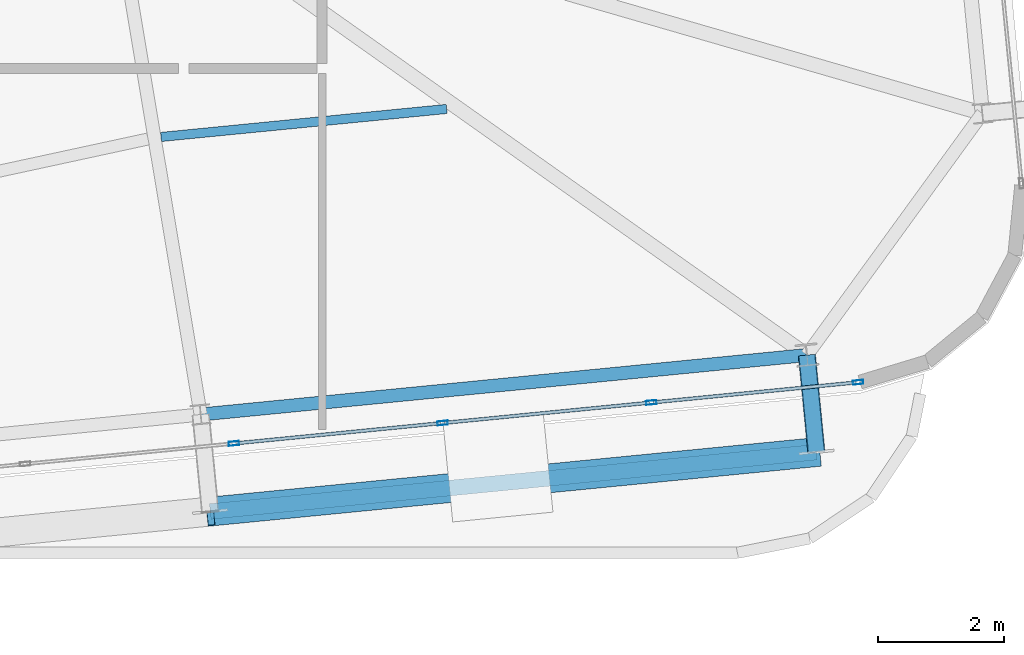
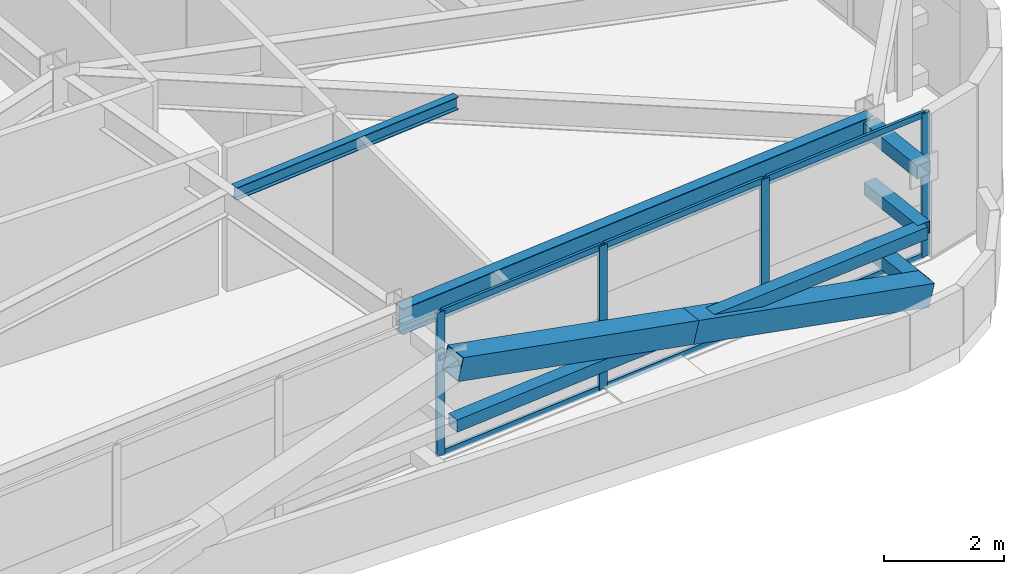
# One storey, part 20 of 51: 16 members, 2 beams, 1 element without a shape of its own.
"""IFC4 building model written with IfcOpenShell, lengths in metres."""

from ifc_helpers import new_model, si_unit, direction, frame, origin, origin_2d, place, context, subcontext, project, spatial, hollow_rectangle, i_section, extrude, source, transform, mapped, material, layer, layer_set, material_profile, profile_set, type_object, element, aggregate, save


model = new_model("IFC4")

# Units and contexts
model_context = context("Model", 3, precision=1e-05, world=origin(), true_north=direction((0.0, 1.0)))
body_context = subcontext(model_context, "Body", "Model", "MODEL_VIEW")
ifc_project = project(units=[si_unit("LENGTHUNIT", "METRE"), si_unit("AREAUNIT", "SQUARE_METRE"), si_unit("VOLUMEUNIT", "CUBIC_METRE"), si_unit("PLANEANGLEUNIT", "RADIAN"), si_unit("MASSUNIT", "GRAM", prefix="KILO")], contexts=[model_context])

# Site, building, storey
site_placement = place(None, origin())
site = spatial("IfcSite", under=ifc_project, at=site_placement, CompositionType="ELEMENT")
building_placement = place(site_placement, origin())
building = spatial("IfcBuilding", under=site, at=building_placement, Name="Taldren Reach Tower", CompositionType="ELEMENT")
storey_placement = place(building_placement, frame((0.0, 0.0, 65.10009765625)))
storey = spatial("IfcBuildingStorey", under=building, at=storey_placement, Name="L19", CompositionType="ELEMENT", Elevation=65.10009765625)

# Members
ifc_material_1 = material(Name="Steel Gr 450 (C450L0)", Category="steel")
ifc_material_profile_1 = material_profile(ifc_material_1, hollow_rectangle(XDim=0.27490234375, YDim=0.27490234375, WallThickness=0.00927734375, at=origin_2d()), Name="275x275x9.3SHS")
ifc_profile_set_1 = profile_set([ifc_material_profile_1], Name="Steel Gr 450 (C450L0)")
member_type_1 = type_object("IfcMemberType", Name="MB-TIE273", PredefinedType="STRUT", material=ifc_profile_set_1)
shared_shape_1 = source(origin(), body_context, "Body", "SweptSolid", [
    extrude(hollow_rectangle(XDim=0.27490234375, YDim=0.27490234375, WallThickness=0.00927734375, at=origin_2d()), origin(), (0.0, 0.0, 1.0), 1.5498046875),
])
for number, where, z_axis, x_axis, name in (
    (1, (63.103271484375, 4.64306640625, 2.64990234375), (0.097507178627, -0.995234821595, 0.0), (0.995234821595, 0.097507178627, 0.0), "Exoskeleton diaphragm tie strut B2-S6 L19"),
    (2, (63.103271484375, 4.64306640625, 0.219970703125), (0.097507178627, -0.995234821595, 0.0), (0.995234821595, 0.097507178627, 0.0), "Exoskeleton base diaphragm tie strut B2-S6 L19"),
):
    element("IfcMember", number, at=place(storey_placement, frame(where, z_axis=z_axis, x_axis=x_axis)), inside=storey, type_object=member_type_1, Name=name, PredefinedType="STRUT", context=body_context, shape_type="MappedRepresentation", body=[
        mapped(shared_shape_1, transform((0.0, 0.0, 0.0), scale=1.0)),
    ])
ifc_material_2 = material(Name="Steel Gr 350 (C350L0)", Category="steel")
ifc_material_profile_2 = material_profile(ifc_material_2, hollow_rectangle(XDim=0.25, YDim=0.25, WallThickness=0.010009765625, at=origin_2d()), Name="250x250x10.0SHS")
ifc_profile_set_2 = profile_set([ifc_material_profile_2], Name="Steel Gr 350 (C350L0)")
member_type_2 = type_object("IfcMemberType", Name="MB-POST250", PredefinedType="POST", material=ifc_profile_set_2)
shared_shape_2 = source(origin(), body_context, "Body", "SweptSolid", [
    extrude(hollow_rectangle(XDim=0.25, YDim=0.25, WallThickness=0.010009765625, at=origin_2d()), origin(), (0.0, 0.0, 1.0), 1.5498046875),
])
member_1_placement = place(storey_placement, frame((63.103271484375, 4.64306640625, 1.434814453125), z_axis=(0.097507178627, -0.995234821595, 0.0), x_axis=(0.995234821595, 0.097507178627, 0.0)))
element("IfcMember", 3, at=member_1_placement, inside=storey, type_object=member_type_2, Name="Exoskeleton mid-tier diaphragm tie B2-S6 L19", PredefinedType="POST", context=body_context, shape_type="MappedRepresentation", body=[
    mapped(shared_shape_2, transform((0.0, 0.0, 0.0), scale=1.0)),
])

# Beams
ifc_material_3 = material(Name="Steel Gr 350 (350PLUS)", Category="steel")
ifc_material_profile_3 = material_profile(ifc_material_3, i_section(OverallWidth=0.208984375, OverallDepth=0.528076171875, WebThickness=0.009521484375, FlangeThickness=0.01318359375, at=origin_2d()), Name="530UB82.0")
ifc_profile_set_3 = profile_set([ifc_material_profile_3], Name="Steel Gr 350 (350PLUS)")
beam_type_1 = type_object("IfcBeamType", Name="SP-UB530B", PredefinedType="SPANDREL", material=ifc_profile_set_3)
shared_shape_3 = source(origin(), body_context, "Body", "SweptSolid", [
    extrude(i_section(OverallWidth=0.208984375, OverallDepth=0.528076171875, WebThickness=0.009521484375, FlangeThickness=0.01318359375, at=origin_2d()), origin(), (0.0, 0.0, 1.0), 9.679931640625),
])
beam_1_placement = place(storey_placement, frame((53.469482421875, 3.698486328125, 2.666015625), z_axis=(0.995227612658, 0.097580730699, 0.0), x_axis=(-0.097580730699, 0.995227612658, 0.0)))
element("IfcBeam", 4, at=beam_1_placement, inside=storey, type_object=beam_type_1, Name="Perimeter spandrel B2 S5-S6 L19", PredefinedType="SPANDREL", context=body_context, shape_type="MappedRepresentation", body=[
    mapped(shared_shape_3, transform((0.0, 0.0, 0.0), scale=1.0)),
])
ifc_material_4 = material(Name="Steel Gr 300 (300PLUS, 300 MPa)", Category="steel")
ifc_material_profile_4 = material_profile(ifc_material_4, i_section(OverallWidth=0.14599609375, OverallDepth=0.256103515625, WebThickness=0.00634765625, FlangeThickness=0.010986328125, at=origin_2d()), Name="250UB37.3")
ifc_profile_set_4 = profile_set([ifc_material_profile_4], Name="Steel Gr 300 (300PLUS, 300 MPa)")
beam_type_2 = type_object("IfcBeamType", Name="JS-UB250", PredefinedType="JOIST", material=ifc_profile_set_4)
shared_shape_4 = source(origin(), body_context, "Body", "SweptSolid", [
    extrude(i_section(OverallWidth=0.14599609375, OverallDepth=0.256103515625, WebThickness=0.00634765625, FlangeThickness=0.010986328125, at=origin_2d()), origin(), (0.0, 0.0, 1.0), 4.56103515625),
])
beam_2_placement = place(storey_placement, frame((52.8388671875, 8.109375, 2.802001953125), z_axis=(0.995227709746, 0.097579740487, 0.0), x_axis=(-0.097579740487, 0.995227709746, 0.0)))
element("IfcBeam", 5, at=beam_2_placement, inside=storey, type_object=beam_type_2, Name="Secondary floor joist B2 J5 L19", PredefinedType="JOIST", context=body_context, shape_type="MappedRepresentation", body=[
    mapped(shared_shape_4, transform((0.0, 0.0, 0.0), scale=1.0)),
])

# Members
ifc_material_profile_5 = material_profile(ifc_material_1, hollow_rectangle(XDim=0.4599609375, YDim=0.4599609375, WallThickness=0.01611328125, at=origin_2d()), Name="460x460x16.0SHS")
ifc_profile_set_5 = profile_set([ifc_material_profile_5], Name="Steel Gr 450 (C450L0)")
member_type_3 = type_object("IfcMemberType", Name="MB-EXO457", PredefinedType="BRACE", material=ifc_profile_set_5)
shared_shape_5 = source(origin(), body_context, "Body", "SweptSolid", [
    extrude(hollow_rectangle(XDim=0.4599609375, YDim=0.4599609375, WallThickness=0.01611328125, at=origin_2d()), origin(), (0.0, 0.0, 1.0), 4.990234375),
])
for number, where, z_axis, x_axis, name in (
    (6, (63.25439453125, 3.1005859375, 0.219970703125), (-0.965282554799, -0.094669120301, 0.243448859234), (0.097605711627, -0.995225162995, 0.0), "Exoskeleton Diagrid Brace B2-S5 L19"),
    (7, (58.4375, 2.628173828125, 1.434814453125), (-0.965275526283, -0.094619506732, 0.243496010862), (0.097555749586, -0.995230061706, 0.0), "Exoskeleton Diagrid Brace B2-S5 L19"),
):
    element("IfcMember", number, at=place(storey_placement, frame(where, z_axis=z_axis, x_axis=x_axis)), inside=storey, type_object=member_type_3, Name=name, PredefinedType="BRACE", context=body_context, shape_type="MappedRepresentation", body=[
        mapped(shared_shape_5, transform((0.0, 0.0, 0.0), scale=1.0)),
    ])
shared_shape_6 = source(origin(), body_context, "Body", "SweptSolid", [
    extrude(hollow_rectangle(XDim=0.25, YDim=0.25, WallThickness=0.010009765625, at=origin_2d()), origin(), (0.0, 0.0, 1.0), 9.679931640625),
])
member_2_placement = place(storey_placement, frame((53.62060546875, 2.156005859375, 1.434814453125), z_axis=(0.995227612658, 0.097580730699, 0.0), x_axis=(-0.097580730699, 0.995227612658, 0.0)))
element("IfcMember", 8, at=member_2_placement, inside=storey, type_object=member_type_2, Name="Exoskeleton mid-height ring chord B2-S5 L19", PredefinedType="POST", context=body_context, shape_type="MappedRepresentation", body=[
    mapped(shared_shape_6, transform((0.0, 0.0, 0.0), scale=1.0)),
])

# Curtain wall, members
ifc_material_5 = material(Name="Aluminium and Low-E Glass Unitised System", Category="aluminium")
ifc_layer = layer(ifc_material_5, 0.159912109375)
ifc_layer_set = layer_set([ifc_layer], Name="Aluminium and Low-E Glass Unitised System")
curtain_wall_type = type_object("IfcCurtainWallType", Name="CW-SYS-3", PredefinedType="NOTDEFINED", material=ifc_layer_set)
curtain_wall_placement = place(storey_placement, origin())
curtain_wall = element("IfcCurtainWall", 9, at=curtain_wall_placement, inside=storey, type_object=curtain_wall_type, Name="Unitised curtain wall CW-L19-S", PredefinedType="NOTDEFINED")
ifc_material_6 = material(Name="Anodised Aluminium 6063-T6", Category="aluminium")
ifc_material_profile_6 = material_profile(ifc_material_6, hollow_rectangle(XDim=0.06494140625, YDim=0.1650390625, WallThickness=0.00390625, at=origin_2d()), Name="ALU-165x65x4RHS")
ifc_profile_set_6 = profile_set([ifc_material_profile_6], Name="Anodised Aluminium 6063-T6")
member_type_4 = type_object("IfcMemberType", Name="CW-MUL-165", PredefinedType="MULLION", material=ifc_profile_set_6)
shared_shape_7 = source(origin(), body_context, "Body", "SweptSolid", [
    extrude(hollow_rectangle(XDim=0.06494140625, YDim=0.1650390625, WallThickness=0.00390625, at=origin_2d()), origin(), (0.0, 0.0, 1.0), 2.929931640625),
])
member_3_placement = place(storey_placement, frame((53.996826171875, 3.23779296875, 0.0), z_axis=(0.0, 0.0, 1.0), x_axis=(-0.097582999046, 0.995227390247, 0.0)))
member_3 = element("IfcMember", 10, at=member_3_placement, type_object=member_type_4, Name="CW-3 mullion 13", PredefinedType="MULLION", context=body_context, shape_type="MappedRepresentation", body=[
    mapped(shared_shape_7, transform((0.0, 0.0, 0.0), scale=1.0)),
])
member_4_placement = place(storey_placement, frame((57.314208984375, 3.56298828125, 0.0), z_axis=(0.0, 0.0, 1.0), x_axis=(-0.097582999046, 0.995227390247, 0.0)))
member_4 = element("IfcMember", 11, at=member_4_placement, type_object=member_type_4, Name="CW-3 mullion 14", PredefinedType="MULLION", context=body_context, shape_type="MappedRepresentation", body=[
    mapped(shared_shape_7, transform((0.0, 0.0, 0.0), scale=1.0)),
])
member_5_placement = place(storey_placement, frame((60.631591796875, 3.888427734375, 0.0), z_axis=(0.0, 0.0, 1.0), x_axis=(-0.097582999046, 0.995227390247, 0.0)))
member_5 = element("IfcMember", 12, at=member_5_placement, type_object=member_type_4, Name="CW-3 mullion 15", PredefinedType="MULLION", context=body_context, shape_type="MappedRepresentation", body=[
    mapped(shared_shape_7, transform((0.0, 0.0, 0.0), scale=1.0)),
])
member_6_placement = place(storey_placement, frame((63.916748046875, 4.21044921875, 0.0), z_axis=(0.0, 0.0, 1.0), x_axis=(-0.097582999046, 0.995227390247, 0.0)))
member_6 = element("IfcMember", 13, at=member_6_placement, type_object=member_type_4, Name="CW-3 mullion 16", PredefinedType="MULLION", context=body_context, shape_type="MappedRepresentation", body=[
    mapped(shared_shape_7, transform((0.0, 0.0, 0.0), scale=1.0)),
])
ifc_material_profile_7 = material_profile(ifc_material_6, hollow_rectangle(XDim=0.054931640625, YDim=0.1201171875, WallThickness=0.0029296875, at=origin_2d()), Name="ALU-120x55x3RHS")
ifc_profile_set_7 = profile_set([ifc_material_profile_7], Name="Anodised Aluminium 6063-T6")
member_type_5 = type_object("IfcMemberType", Name="CW-TRN-135", PredefinedType="USERDEFINED", material=ifc_profile_set_7)
shared_shape_8 = source(origin(), body_context, "Body", "SweptSolid", [
    extrude(hollow_rectangle(XDim=0.054931640625, YDim=0.1201171875, WallThickness=0.0029296875, at=origin_2d()), origin(), (0.0, 0.0, 1.0), 3.23583984375),
])
member_7_placement = place(storey_placement, frame((60.6640625, 3.8916015625, 0.02734375), z_axis=(0.995230248826, 0.097553840629, 0.0), x_axis=(-0.097553840629, 0.995230248826, 0.0)))
member_7 = element("IfcMember", 14, at=member_7_placement, type_object=member_type_5, Name="CW-3 transom 15.1", ObjectType="TRANSOM", PredefinedType="USERDEFINED", context=body_context, shape_type="MappedRepresentation", body=[
    mapped(shared_shape_8, transform((0.0, 0.0, 0.0), scale=1.0)),
])
member_8_placement = place(storey_placement, frame((60.6640625, 3.8916015625, 2.90234375), z_axis=(0.995230248826, 0.097553840629, 0.0), x_axis=(-0.097553840629, 0.995230248826, 0.0)))
member_8 = element("IfcMember", 15, at=member_8_placement, type_object=member_type_5, Name="CW-3 transom 15.2", ObjectType="TRANSOM", PredefinedType="USERDEFINED", context=body_context, shape_type="MappedRepresentation", body=[
    mapped(shared_shape_8, transform((0.0, 0.0, 0.0), scale=1.0)),
])
shared_shape_9 = source(origin(), body_context, "Body", "SweptSolid", [
    extrude(hollow_rectangle(XDim=0.054931640625, YDim=0.1201171875, WallThickness=0.0029296875, at=origin_2d()), origin(), (0.0, 0.0, 1.0), 3.268310546875),
])
member_9_placement = place(storey_placement, frame((54.029296875, 3.240966796875, 0.02734375), z_axis=(0.99522980512, 0.097558367146, 0.0), x_axis=(-0.097558367146, 0.99522980512, 0.0)))
member_9 = element("IfcMember", 16, at=member_9_placement, type_object=member_type_5, Name="CW-3 transom 13.1", ObjectType="TRANSOM", PredefinedType="USERDEFINED", context=body_context, shape_type="MappedRepresentation", body=[
    mapped(shared_shape_9, transform((0.0, 0.0, 0.0), scale=1.0)),
])
member_10_placement = place(storey_placement, frame((54.029296875, 3.240966796875, 2.90234375), z_axis=(0.99522980512, 0.097558367146, 0.0), x_axis=(-0.097558367146, 0.99522980512, 0.0)))
member_10 = element("IfcMember", 17, at=member_10_placement, type_object=member_type_5, Name="CW-3 transom 13.2", ObjectType="TRANSOM", PredefinedType="USERDEFINED", context=body_context, shape_type="MappedRepresentation", body=[
    mapped(shared_shape_9, transform((0.0, 0.0, 0.0), scale=1.0)),
])
member_11_placement = place(storey_placement, frame((57.3466796875, 3.566162109375, 0.02734375), z_axis=(0.995222549564, 0.097632355496, 0.0), x_axis=(-0.097632355496, 0.995222549564, 0.0)))
member_11 = element("IfcMember", 18, at=member_11_placement, type_object=member_type_5, Name="CW-3 transom 14.1", ObjectType="TRANSOM", PredefinedType="USERDEFINED", context=body_context, shape_type="MappedRepresentation", body=[
    mapped(shared_shape_9, transform((0.0, 0.0, 0.0), scale=1.0)),
])
member_12_placement = place(storey_placement, frame((57.3466796875, 3.566162109375, 2.90234375), z_axis=(0.995222549564, 0.097632355496, 0.0), x_axis=(-0.097632355496, 0.995222549564, 0.0)))
member_12 = element("IfcMember", 19, at=member_12_placement, type_object=member_type_5, Name="CW-3 transom 14.2", ObjectType="TRANSOM", PredefinedType="USERDEFINED", context=body_context, shape_type="MappedRepresentation", body=[
    mapped(shared_shape_9, transform((0.0, 0.0, 0.0), scale=1.0)),
])
aggregate(curtain_wall, [member_3, member_4, member_5, member_6, member_9, member_10, member_11, member_12, member_7, member_8])

save(model, "model.ifc")
